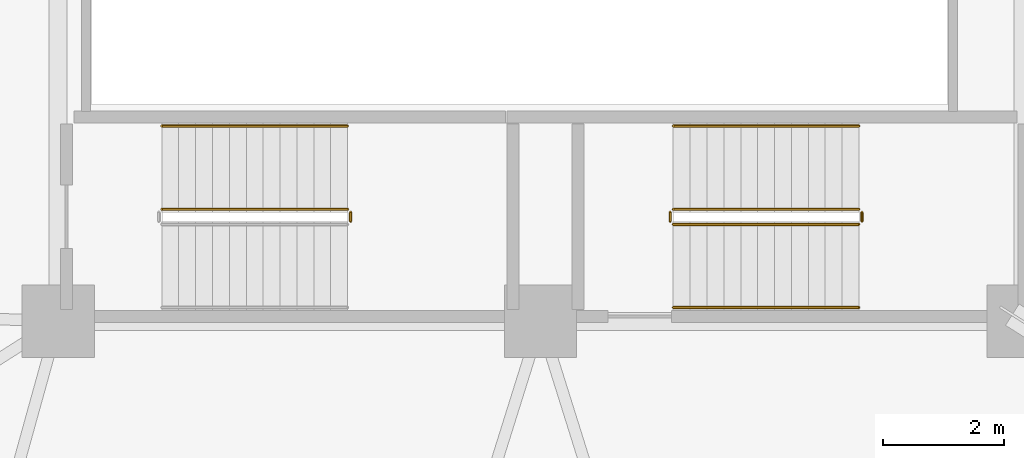
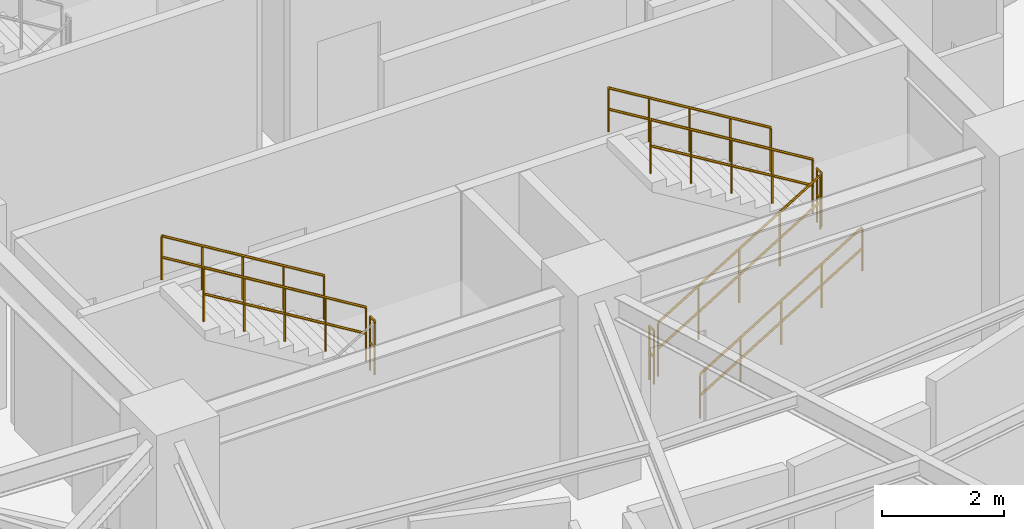
# One storey, part 8 of 10: 9 railings.
"""IFC4 building model written with IfcOpenShell, lengths in metres."""

from ifc_helpers import new_model, si_unit, direction, frame, origin, place, context, subcontext, project, spatial, polyline, outline, extrude, material, type_object, element, save


model = new_model("IFC4")

# Units and contexts
model_context = context("Model", 3, precision=1e-05, world=origin(), true_north=direction((0.0, 1.0)))
body_context = subcontext(model_context, "Body", "Model", "MODEL_VIEW")
ifc_project = project(units=[si_unit("LENGTHUNIT", "METRE"), si_unit("AREAUNIT", "SQUARE_METRE"), si_unit("VOLUMEUNIT", "CUBIC_METRE"), si_unit("PLANEANGLEUNIT", "RADIAN"), si_unit("MASSUNIT", "GRAM", prefix="KILO")], contexts=[model_context])

# Site, building, storey
site_placement = place(None, origin())
site = spatial("IfcSite", under=ifc_project, at=site_placement, CompositionType="ELEMENT")
building_placement = place(site_placement, origin())
building = spatial("IfcBuilding", under=site, at=building_placement, Name="Kelanora Arch Commons", CompositionType="ELEMENT")
storey_placement = place(building_placement, frame((0.0, 0.0, 189.110107421875)))
storey = spatial("IfcBuildingStorey", under=building, at=storey_placement, Name="L48", CompositionType="ELEMENT", Elevation=189.110107421875)

# Railings
ifc_material_1 = material(Name="Painted steel stair well guard", Category="steel")
railing_type_1 = type_object("IfcRailingType", Name="RAIL-STAIR-GRD", PredefinedType="GUARDRAIL", material=ifc_material_1)
railing_1_placement = place(storey_placement, frame((76.199951171875, 52.610107421875, 0.17041015625)))
element("IfcRailing", 1, at=railing_1_placement, inside=storey, type_object=railing_type_1, Name="L48 ST-T2 stair guard 1", PredefinedType="GUARDRAIL", context=body_context, shape_type="SweptSolid", body=[
    extrude(outline(polyline([(0.02392578125, 0.0), (0.011962890625, 0.020751953125), (-0.011962890625, 0.020751953125), (-0.02392578125, 0.0), (-0.011962890625, -0.020751953125), (0.011962890625, -0.020751953125), (0.02392578125, 0.0)])), frame((0.0, 0.0, 1.076171875), z_axis=(0.854237778674, 0.0, 0.51988250354), x_axis=(0.0, 1.0, 0.0)), (0.0, 0.0, 1.0), 3.605712890625),
    extrude(outline(polyline([(0.02392578125, 0.0), (0.011962890625, 0.020751953125), (-0.011962890625, 0.020751953125), (-0.02392578125, 0.0), (-0.011962890625, -0.020751953125), (0.011962890625, -0.020751953125), (0.02392578125, 0.0)])), frame((0.0, 0.0, 0.550048828125), z_axis=(0.854237778674, 0.0, 0.51988250354), x_axis=(0.0, 1.0, 0.0)), (0.0, 0.0, 1.0), 3.605712890625),
    extrude(outline(polyline([(0.02099609375, 0.0), (0.010498046875, 0.01806640625), (-0.010498046875, 0.01806640625), (-0.02099609375, 0.0), (-0.010498046875, -0.01806640625), (0.010498046875, -0.01806640625), (0.02099609375, 0.0)])), origin(), (0.0, 0.0, 1.0), 1.052001953125),
    extrude(outline(polyline([(0.02099609375, 0.0), (0.010498046875, 0.01806640625), (-0.010498046875, 0.01806640625), (-0.02099609375, 0.0), (-0.010498046875, -0.01806640625), (0.010498046875, -0.01806640625), (0.02099609375, 0.0)])), frame((0.77001953125, 0.0, 0.46875)), (0.0, 0.0, 1.0), 1.052001953125),
    extrude(outline(polyline([(0.02099609375, 0.0), (0.010498046875, 0.01806640625), (-0.010498046875, 0.01806640625), (-0.02099609375, 0.0), (-0.010498046875, -0.01806640625), (0.010498046875, -0.01806640625), (0.02099609375, 0.0)])), frame((1.5400390625, 0.0, 0.937255859375)), (0.0, 0.0, 1.0), 1.052001953125),
    extrude(outline(polyline([(0.02099609375, 0.0), (0.010498046875, 0.01806640625), (-0.010498046875, 0.01806640625), (-0.02099609375, 0.0), (-0.010498046875, -0.01806640625), (0.010498046875, -0.01806640625), (0.02099609375, 0.0)])), frame((2.31005859375, 0.0, 1.40576171875)), (0.0, 0.0, 1.0), 1.052001953125),
    extrude(outline(polyline([(0.02099609375, 0.0), (0.010498046875, 0.01806640625), (-0.010498046875, 0.01806640625), (-0.02099609375, 0.0), (-0.010498046875, -0.01806640625), (0.010498046875, -0.01806640625), (0.02099609375, 0.0)])), frame((3.080078125, 0.0, 1.87451171875)), (0.0, 0.0, 1.0), 1.052001953125),
])
railing_2_placement = place(storey_placement, frame((79.330078125, 52.659912109375, 2.044921875)))
element("IfcRailing", 2, at=railing_2_placement, inside=storey, type_object=railing_type_1, Name="L48 ST-T2 stair guard 2", PredefinedType="GUARDRAIL", context=body_context, shape_type="SweptSolid", body=[
    extrude(outline(polyline([(0.02392578125, 0.0), (0.011962890625, 0.020751953125), (-0.011962890625, 0.020751953125), (-0.02392578125, 0.0), (-0.011962890625, -0.020751953125), (0.011962890625, -0.020751953125), (0.02392578125, 0.0)])), frame((0.0, 0.0, 1.076171875), z_axis=(0.0, 1.0, 0.0), x_axis=(-1.0, 0.0, 0.0)), (0.0, 0.0, 1.0), 0.150146484375),
    extrude(outline(polyline([(0.02392578125, 0.0), (0.011962890625, 0.020751953125), (-0.011962890625, 0.020751953125), (-0.02392578125, 0.0), (-0.011962890625, -0.020751953125), (0.011962890625, -0.020751953125), (0.02392578125, 0.0)])), frame((0.0, 0.0, 0.550048828125), z_axis=(0.0, 1.0, 0.0), x_axis=(-1.0, 0.0, 0.0)), (0.0, 0.0, 1.0), 0.150146484375),
    extrude(outline(polyline([(0.02099609375, 0.0), (0.010498046875, 0.01806640625), (-0.010498046875, 0.01806640625), (-0.02099609375, 0.0), (-0.010498046875, -0.01806640625), (0.010498046875, -0.01806640625), (0.02099609375, 0.0)])), origin(), (0.0, 0.0, 1.0), 1.052001953125),
    extrude(outline(polyline([(0.02099609375, 0.0), (0.010498046875, 0.01806640625), (-0.010498046875, 0.01806640625), (-0.02099609375, 0.0), (-0.010498046875, -0.01806640625), (0.010498046875, -0.01806640625), (0.02099609375, 0.0)])), frame((0.0, 0.150146484375, 0.0)), (0.0, 0.0, 1.0), 1.052001953125),
])
railing_3_placement = place(storey_placement, frame((79.280029296875, 52.860107421875, 2.21533203125)))
element("IfcRailing", 3, at=railing_3_placement, inside=storey, type_object=railing_type_1, Name="L48 ST-T2 stair guard 3", PredefinedType="GUARDRAIL", context=body_context, shape_type="SweptSolid", body=[
    extrude(outline(polyline([(0.02392578125, 0.0), (0.011962890625, 0.020751953125), (-0.011962890625, 0.020751953125), (-0.02392578125, 0.0), (-0.011962890625, -0.020751953125), (0.011962890625, -0.020751953125), (0.02392578125, 0.0)])), frame((0.0, 0.0, 1.076171875), z_axis=(-0.854237778674, 0.0, 0.51988250354), x_axis=(0.0, -1.0, 0.0)), (0.0, 0.0, 1.0), 3.605712890625),
    extrude(outline(polyline([(0.02392578125, 0.0), (0.011962890625, 0.020751953125), (-0.011962890625, 0.020751953125), (-0.02392578125, 0.0), (-0.011962890625, -0.020751953125), (0.011962890625, -0.020751953125), (0.02392578125, 0.0)])), frame((0.0, 0.0, 0.550048828125), z_axis=(-0.854237778674, 0.0, 0.51988250354), x_axis=(0.0, -1.0, 0.0)), (0.0, 0.0, 1.0), 3.605712890625),
    extrude(outline(polyline([(0.02099609375, 0.0), (0.010498046875, 0.01806640625), (-0.010498046875, 0.01806640625), (-0.02099609375, 0.0), (-0.010498046875, -0.01806640625), (0.010498046875, -0.01806640625), (0.02099609375, 0.0)])), origin(), (0.0, 0.0, 1.0), 1.052001953125),
    extrude(outline(polyline([(0.02099609375, 0.0), (0.010498046875, 0.01806640625), (-0.010498046875, 0.01806640625), (-0.02099609375, 0.0), (-0.010498046875, -0.01806640625), (0.010498046875, -0.01806640625), (0.02099609375, 0.0)])), frame((-0.77001953125, 0.0, 0.46875)), (0.0, 0.0, 1.0), 1.052001953125),
    extrude(outline(polyline([(0.02099609375, 0.0), (0.010498046875, 0.01806640625), (-0.010498046875, 0.01806640625), (-0.02099609375, 0.0), (-0.010498046875, -0.01806640625), (0.010498046875, -0.01806640625), (0.02099609375, 0.0)])), frame((-1.5400390625, 0.0, 0.937255859375)), (0.0, 0.0, 1.0), 1.052001953125),
    extrude(outline(polyline([(0.02099609375, 0.0), (0.010498046875, 0.01806640625), (-0.010498046875, 0.01806640625), (-0.02099609375, 0.0), (-0.010498046875, -0.01806640625), (0.010498046875, -0.01806640625), (0.02099609375, 0.0)])), frame((-2.31005859375, 0.0, 1.40576171875)), (0.0, 0.0, 1.0), 1.052001953125),
    extrude(outline(polyline([(0.02099609375, 0.0), (0.010498046875, 0.01806640625), (-0.010498046875, 0.01806640625), (-0.02099609375, 0.0), (-0.010498046875, -0.01806640625), (0.010498046875, -0.01806640625), (0.02099609375, 0.0)])), frame((-3.080078125, 0.0, 1.87451171875)), (0.0, 0.0, 1.0), 1.052001953125),
])
for number, where, name in (
    (4, (76.14990234375, 52.659912109375, 0.0), "L48 ST-T2 stair guard 4"),
    (5, (70.85009765625, 52.659912109375, 2.044921875), "L48 ST-T3 stair guard 2"),
):
    element("IfcRailing", number, at=place(storey_placement, frame(where)), inside=storey, type_object=railing_type_1, Name=name, PredefinedType="GUARDRAIL", context=body_context, shape_type="SweptSolid", body=[
        extrude(outline(polyline([(0.02392578125, 0.0), (0.011962890625, 0.020751953125), (-0.011962890625, 0.020751953125), (-0.02392578125, 0.0), (-0.011962890625, -0.020751953125), (0.011962890625, -0.020751953125), (0.02392578125, 0.0)])), frame((0.0, 0.0, 1.076171875), z_axis=(0.0, 1.0, 0.0), x_axis=(-1.0, 0.0, 0.0)), (0.0, 0.0, 1.0), 0.150146484375),
        extrude(outline(polyline([(0.02392578125, 0.0), (0.011962890625, 0.020751953125), (-0.011962890625, 0.020751953125), (-0.02392578125, 0.0), (-0.011962890625, -0.020751953125), (0.011962890625, -0.020751953125), (0.02392578125, 0.0)])), frame((0.0, 0.0, 0.550048828125), z_axis=(0.0, 1.0, 0.0), x_axis=(-1.0, 0.0, 0.0)), (0.0, 0.0, 1.0), 0.150146484375),
        extrude(outline(polyline([(0.02099609375, 0.0), (0.010498046875, 0.01806640625), (-0.010498046875, 0.01806640625), (-0.02099609375, 0.0), (-0.010498046875, -0.01806640625), (0.010498046875, -0.01806640625), (0.02099609375, 0.0)])), origin(), (0.0, 0.0, 1.0), 1.052001953125),
        extrude(outline(polyline([(0.02099609375, 0.0), (0.010498046875, 0.01806640625), (-0.010498046875, 0.01806640625), (-0.02099609375, 0.0), (-0.010498046875, -0.01806640625), (0.010498046875, -0.01806640625), (0.02099609375, 0.0)])), frame((0.0, 0.150146484375, 0.0)), (0.0, 0.0, 1.0), 1.052001953125),
    ])
railing_4_placement = place(storey_placement, frame((70.800048828125, 52.860107421875, 2.21533203125)))
element("IfcRailing", 6, at=railing_4_placement, inside=storey, type_object=railing_type_1, Name="L48 ST-T3 stair guard 3", PredefinedType="GUARDRAIL", context=body_context, shape_type="SweptSolid", body=[
    extrude(outline(polyline([(0.02392578125, 0.0), (0.011962890625, 0.020751953125), (-0.011962890625, 0.020751953125), (-0.02392578125, 0.0), (-0.011962890625, -0.020751953125), (0.011962890625, -0.020751953125), (0.02392578125, 0.0)])), frame((0.0, 0.0, 1.076171875), z_axis=(-0.854237778674, 0.0, 0.51988250354), x_axis=(0.0, -1.0, 0.0)), (0.0, 0.0, 1.0), 3.605712890625),
    extrude(outline(polyline([(0.02392578125, 0.0), (0.011962890625, 0.020751953125), (-0.011962890625, 0.020751953125), (-0.02392578125, 0.0), (-0.011962890625, -0.020751953125), (0.011962890625, -0.020751953125), (0.02392578125, 0.0)])), frame((0.0, 0.0, 0.550048828125), z_axis=(-0.854237778674, 0.0, 0.51988250354), x_axis=(0.0, -1.0, 0.0)), (0.0, 0.0, 1.0), 3.605712890625),
    extrude(outline(polyline([(0.02099609375, 0.0), (0.010498046875, 0.01806640625), (-0.010498046875, 0.01806640625), (-0.02099609375, 0.0), (-0.010498046875, -0.01806640625), (0.010498046875, -0.01806640625), (0.02099609375, 0.0)])), origin(), (0.0, 0.0, 1.0), 1.052001953125),
    extrude(outline(polyline([(0.02099609375, 0.0), (0.010498046875, 0.01806640625), (-0.010498046875, 0.01806640625), (-0.02099609375, 0.0), (-0.010498046875, -0.01806640625), (0.010498046875, -0.01806640625), (0.02099609375, 0.0)])), frame((-0.77001953125, 0.0, 0.46875)), (0.0, 0.0, 1.0), 1.052001953125),
    extrude(outline(polyline([(0.02099609375, 0.0), (0.010498046875, 0.01806640625), (-0.010498046875, 0.01806640625), (-0.02099609375, 0.0), (-0.010498046875, -0.01806640625), (0.010498046875, -0.01806640625), (0.02099609375, 0.0)])), frame((-1.5400390625, 0.0, 0.937255859375)), (0.0, 0.0, 1.0), 1.052001953125),
    extrude(outline(polyline([(0.02099609375, 0.0), (0.010498046875, 0.01806640625), (-0.010498046875, 0.01806640625), (-0.02099609375, 0.0), (-0.010498046875, -0.01806640625), (0.010498046875, -0.01806640625), (0.02099609375, 0.0)])), frame((-2.31005859375, 0.0, 1.40576171875)), (0.0, 0.0, 1.0), 1.052001953125),
    extrude(outline(polyline([(0.02099609375, 0.0), (0.010498046875, 0.01806640625), (-0.010498046875, 0.01806640625), (-0.02099609375, 0.0), (-0.010498046875, -0.01806640625), (0.010498046875, -0.01806640625), (0.02099609375, 0.0)])), frame((-3.080078125, 0.0, 1.87451171875)), (0.0, 0.0, 1.0), 1.052001953125),
])
ifc_material_2 = material(Name="Brushed stainless steel stair handrail", Category="steel")
railing_type_2 = type_object("IfcRailingType", Name="RAIL-STAIR-HND", PredefinedType="HANDRAIL", material=ifc_material_2)
railing_5_placement = place(storey_placement, frame((76.199951171875, 51.22998046875, 0.17041015625)))
element("IfcRailing", 7, at=railing_5_placement, inside=storey, type_object=railing_type_2, Name="L48 ST-T2 stair handrail 1", PredefinedType="HANDRAIL", context=body_context, shape_type="SweptSolid", body=[
    extrude(outline(polyline([(0.02392578125, 0.0), (0.011962890625, 0.020751953125), (-0.011962890625, 0.020751953125), (-0.02392578125, 0.0), (-0.011962890625, -0.020751953125), (0.011962890625, -0.020751953125), (0.02392578125, 0.0)])), frame((0.0, 0.0, 0.8759765625), z_axis=(0.854237778674, 0.0, 0.51988250354), x_axis=(0.0, 1.0, 0.0)), (0.0, 0.0, 1.0), 3.605712890625),
    extrude(outline(polyline([(0.02392578125, 0.0), (0.011962890625, 0.020751953125), (-0.011962890625, 0.020751953125), (-0.02392578125, 0.0), (-0.011962890625, -0.020751953125), (0.011962890625, -0.020751953125), (0.02392578125, 0.0)])), frame((0.0, 0.0, 0.449951171875), z_axis=(0.854237778674, 0.0, 0.51988250354), x_axis=(0.0, 1.0, 0.0)), (0.0, 0.0, 1.0), 3.605712890625),
    extrude(outline(polyline([(0.02099609375, 0.0), (0.010498046875, 0.01806640625), (-0.010498046875, 0.01806640625), (-0.02099609375, 0.0), (-0.010498046875, -0.01806640625), (0.010498046875, -0.01806640625), (0.02099609375, 0.0)])), origin(), (0.0, 0.0, 1.0), 0.851806640625),
    extrude(outline(polyline([(0.02099609375, 0.0), (0.010498046875, 0.01806640625), (-0.010498046875, 0.01806640625), (-0.02099609375, 0.0), (-0.010498046875, -0.01806640625), (0.010498046875, -0.01806640625), (0.02099609375, 0.0)])), frame((0.77001953125, 0.0, 0.46875)), (0.0, 0.0, 1.0), 0.851806640625),
    extrude(outline(polyline([(0.02099609375, 0.0), (0.010498046875, 0.01806640625), (-0.010498046875, 0.01806640625), (-0.02099609375, 0.0), (-0.010498046875, -0.01806640625), (0.010498046875, -0.01806640625), (0.02099609375, 0.0)])), frame((1.5400390625, 0.0, 0.937255859375)), (0.0, 0.0, 1.0), 0.851806640625),
    extrude(outline(polyline([(0.02099609375, 0.0), (0.010498046875, 0.01806640625), (-0.010498046875, 0.01806640625), (-0.02099609375, 0.0), (-0.010498046875, -0.01806640625), (0.010498046875, -0.01806640625), (0.02099609375, 0.0)])), frame((2.31005859375, 0.0, 1.40576171875)), (0.0, 0.0, 1.0), 0.851806640625),
    extrude(outline(polyline([(0.02099609375, 0.0), (0.010498046875, 0.01806640625), (-0.010498046875, 0.01806640625), (-0.02099609375, 0.0), (-0.010498046875, -0.01806640625), (0.010498046875, -0.01806640625), (0.02099609375, 0.0)])), frame((3.080078125, 0.0, 1.87451171875)), (0.0, 0.0, 1.0), 0.851806640625),
])
railing_6_placement = place(storey_placement, frame((79.280029296875, 54.239990234375, 2.21533203125)))
element("IfcRailing", 8, at=railing_6_placement, inside=storey, type_object=railing_type_2, Name="L48 ST-T2 stair handrail 2", PredefinedType="HANDRAIL", context=body_context, shape_type="SweptSolid", body=[
    extrude(outline(polyline([(0.02392578125, 0.0), (0.011962890625, 0.020751953125), (-0.011962890625, 0.020751953125), (-0.02392578125, 0.0), (-0.011962890625, -0.020751953125), (0.011962890625, -0.020751953125), (0.02392578125, 0.0)])), frame((0.0, 0.0, 0.8759765625), z_axis=(-0.854237778674, 0.0, 0.51988250354), x_axis=(0.0, -1.0, 0.0)), (0.0, 0.0, 1.0), 3.605712890625),
    extrude(outline(polyline([(0.02392578125, 0.0), (0.011962890625, 0.020751953125), (-0.011962890625, 0.020751953125), (-0.02392578125, 0.0), (-0.011962890625, -0.020751953125), (0.011962890625, -0.020751953125), (0.02392578125, 0.0)])), frame((0.0, 0.0, 0.449951171875), z_axis=(-0.854237778674, 0.0, 0.51988250354), x_axis=(0.0, -1.0, 0.0)), (0.0, 0.0, 1.0), 3.605712890625),
    extrude(outline(polyline([(0.02099609375, 0.0), (0.010498046875, 0.01806640625), (-0.010498046875, 0.01806640625), (-0.02099609375, 0.0), (-0.010498046875, -0.01806640625), (0.010498046875, -0.01806640625), (0.02099609375, 0.0)])), origin(), (0.0, 0.0, 1.0), 0.851806640625),
    extrude(outline(polyline([(0.02099609375, 0.0), (0.010498046875, 0.01806640625), (-0.010498046875, 0.01806640625), (-0.02099609375, 0.0), (-0.010498046875, -0.01806640625), (0.010498046875, -0.01806640625), (0.02099609375, 0.0)])), frame((-0.77001953125, 0.0, 0.46875)), (0.0, 0.0, 1.0), 0.851806640625),
    extrude(outline(polyline([(0.02099609375, 0.0), (0.010498046875, 0.01806640625), (-0.010498046875, 0.01806640625), (-0.02099609375, 0.0), (-0.010498046875, -0.01806640625), (0.010498046875, -0.01806640625), (0.02099609375, 0.0)])), frame((-1.5400390625, 0.0, 0.937255859375)), (0.0, 0.0, 1.0), 0.851806640625),
    extrude(outline(polyline([(0.02099609375, 0.0), (0.010498046875, 0.01806640625), (-0.010498046875, 0.01806640625), (-0.02099609375, 0.0), (-0.010498046875, -0.01806640625), (0.010498046875, -0.01806640625), (0.02099609375, 0.0)])), frame((-2.31005859375, 0.0, 1.40576171875)), (0.0, 0.0, 1.0), 0.851806640625),
    extrude(outline(polyline([(0.02099609375, 0.0), (0.010498046875, 0.01806640625), (-0.010498046875, 0.01806640625), (-0.02099609375, 0.0), (-0.010498046875, -0.01806640625), (0.010498046875, -0.01806640625), (0.02099609375, 0.0)])), frame((-3.080078125, 0.0, 1.87451171875)), (0.0, 0.0, 1.0), 0.851806640625),
])
railing_7_placement = place(storey_placement, frame((70.800048828125, 54.239990234375, 2.21533203125)))
element("IfcRailing", 9, at=railing_7_placement, inside=storey, type_object=railing_type_2, Name="L48 ST-T3 stair handrail 2", PredefinedType="HANDRAIL", context=body_context, shape_type="SweptSolid", body=[
    extrude(outline(polyline([(0.02392578125, 0.0), (0.011962890625, 0.020751953125), (-0.011962890625, 0.020751953125), (-0.02392578125, 0.0), (-0.011962890625, -0.020751953125), (0.011962890625, -0.020751953125), (0.02392578125, 0.0)])), frame((0.0, 0.0, 0.8759765625), z_axis=(-0.854237778674, 0.0, 0.51988250354), x_axis=(0.0, -1.0, 0.0)), (0.0, 0.0, 1.0), 3.605712890625),
    extrude(outline(polyline([(0.02392578125, 0.0), (0.011962890625, 0.020751953125), (-0.011962890625, 0.020751953125), (-0.02392578125, 0.0), (-0.011962890625, -0.020751953125), (0.011962890625, -0.020751953125), (0.02392578125, 0.0)])), frame((0.0, 0.0, 0.449951171875), z_axis=(-0.854237778674, 0.0, 0.51988250354), x_axis=(0.0, -1.0, 0.0)), (0.0, 0.0, 1.0), 3.605712890625),
    extrude(outline(polyline([(0.02099609375, 0.0), (0.010498046875, 0.01806640625), (-0.010498046875, 0.01806640625), (-0.02099609375, 0.0), (-0.010498046875, -0.01806640625), (0.010498046875, -0.01806640625), (0.02099609375, 0.0)])), origin(), (0.0, 0.0, 1.0), 0.851806640625),
    extrude(outline(polyline([(0.02099609375, 0.0), (0.010498046875, 0.01806640625), (-0.010498046875, 0.01806640625), (-0.02099609375, 0.0), (-0.010498046875, -0.01806640625), (0.010498046875, -0.01806640625), (0.02099609375, 0.0)])), frame((-0.77001953125, 0.0, 0.46875)), (0.0, 0.0, 1.0), 0.851806640625),
    extrude(outline(polyline([(0.02099609375, 0.0), (0.010498046875, 0.01806640625), (-0.010498046875, 0.01806640625), (-0.02099609375, 0.0), (-0.010498046875, -0.01806640625), (0.010498046875, -0.01806640625), (0.02099609375, 0.0)])), frame((-1.5400390625, 0.0, 0.937255859375)), (0.0, 0.0, 1.0), 0.851806640625),
    extrude(outline(polyline([(0.02099609375, 0.0), (0.010498046875, 0.01806640625), (-0.010498046875, 0.01806640625), (-0.02099609375, 0.0), (-0.010498046875, -0.01806640625), (0.010498046875, -0.01806640625), (0.02099609375, 0.0)])), frame((-2.31005859375, 0.0, 1.40576171875)), (0.0, 0.0, 1.0), 0.851806640625),
    extrude(outline(polyline([(0.02099609375, 0.0), (0.010498046875, 0.01806640625), (-0.010498046875, 0.01806640625), (-0.02099609375, 0.0), (-0.010498046875, -0.01806640625), (0.010498046875, -0.01806640625), (0.02099609375, 0.0)])), frame((-3.080078125, 0.0, 1.87451171875)), (0.0, 0.0, 1.0), 0.851806640625),
])

save(model, "model.ifc")
